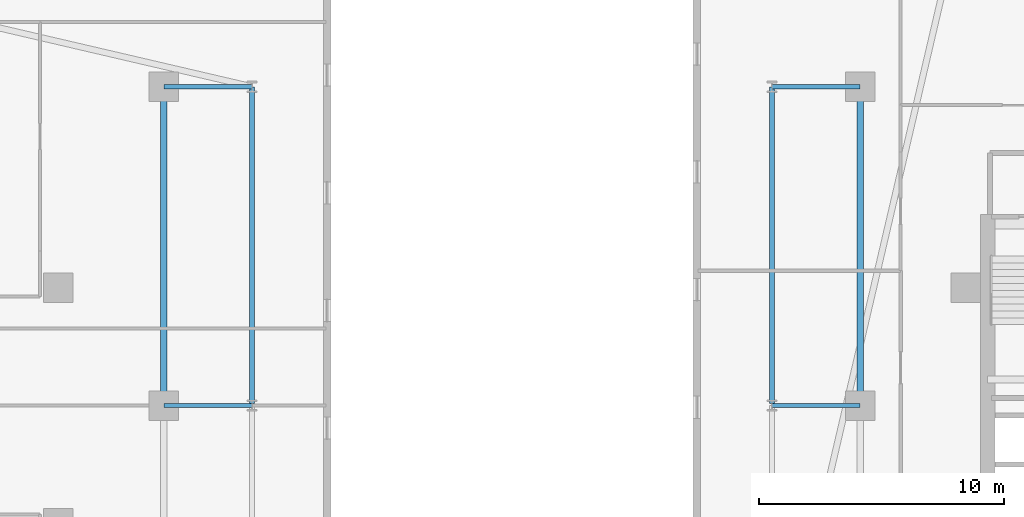
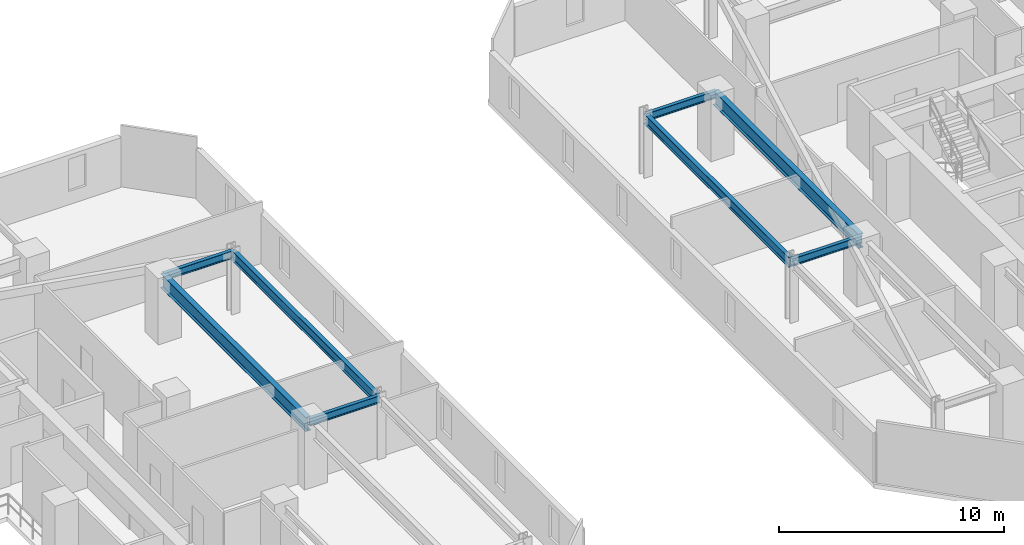
# One storey, part 7 of 31: 8 beams.
"""IFC4 building model written with IfcOpenShell, lengths in metres."""

import ifcopenshell
import ifcopenshell.guid

model = None  # the IFC model being written
_history = None  # IfcOwnerHistory: only IFC2X3 demands one
_inside = {}  # id of a spatial element -> (the spatial element, [elements in it])
_under = {}  # id of a project, library or spatial element -> (it, [spatial elements below it])
_declared = {}  # id of a project -> (the project, [libraries it declares])
_typed = {}  # id of a type object -> (the type object, [elements of that type])
_made_of = {}  # id of a material, layer set ... -> (it, [elements and type objects made of it])


def new_model(schema):
    """Start an empty IFC model of exactly this schema.

    Asked for "IFC4X3", IfcOpenShell would pick the latest addendum, in which some entities
    have other attributes; the version numbers below select the first issue.
    IFC2X3 requires an IfcOwnerHistory on every rooted entity: one is made here for all.
    """
    global model, _history
    if schema == "IFC4X3":
        model = ifcopenshell.file(schema_version=(4, 3, 0, 0))
    else:
        model = ifcopenshell.file(schema=schema)
    _inside.clear()
    _under.clear()
    _declared.clear()
    _typed.clear()
    _made_of.clear()
    _history = None
    if model.schema == "IFC2X3":
        org = make("IfcOrganization", Name="unknown")
        user = make(
            "IfcPersonAndOrganization",
            ThePerson=make("IfcPerson", FamilyName="unknown"),
            TheOrganization=org,
        )
        app = make(
            "IfcApplication",
            ApplicationDeveloper=org,
            Version="unknown",
            ApplicationFullName="unknown",
            ApplicationIdentifier="unknown",
        )
        _history = make(
            "IfcOwnerHistory",
            OwningUser=user,
            OwningApplication=app,
            ChangeAction="ADDED",
            CreationDate=0,
        )
    return model


def make(cls, **values):
    """One entity of the class cls with the attributes given. An attribute that is None is left unset."""
    return model.create_entity(
        cls, **{name: value for name, value in values.items() if value is not None}
    )


def rooted(cls, **values):
    """An entity with a GlobalId (a new one), such as an element, a storey or a relation."""
    return make(cls, GlobalId=ifcopenshell.guid.new(), OwnerHistory=_history, **values)


def si_unit(unit_type, name, prefix=None):
    """IfcSIUnit, for example si_unit("LENGTHUNIT", "METRE", prefix="MILLI")."""
    return make("IfcSIUnit", UnitType=unit_type, Prefix=prefix, Name=name)


def assignment(units):
    """IfcUnitAssignment: the units of a project."""
    return None if units is None else make("IfcUnitAssignment", Units=units)


def point(xyz):
    """IfcCartesianPoint."""
    return None if xyz is None else make("IfcCartesianPoint", Coordinates=xyz)


def direction(xyz):
    """IfcDirection."""
    return None if xyz is None else make("IfcDirection", DirectionRatios=xyz)


def frame(location, z_axis=None, x_axis=None):
    """IfcAxis2Placement3D, a coordinate frame: its origin and axes. An axis left out is left unset."""
    return make(
        "IfcAxis2Placement3D",
        Location=point(location),
        Axis=direction(z_axis),
        RefDirection=direction(x_axis),
    )


def frame_2d(location, x_axis=None):
    """IfcAxis2Placement2D, a coordinate frame in the plane: its origin and x axis."""
    return make(
        "IfcAxis2Placement2D", Location=point(location), RefDirection=direction(x_axis)
    )


def origin():
    """The frame at (0, 0, 0) with its axes left unset."""
    return frame((0.0, 0.0, 0.0))


def origin_2d():
    """The frame at (0, 0) in the plane with its x axis left unset."""
    return frame_2d((0.0, 0.0))


def place(relative_to, where):
    """IfcLocalPlacement: puts the frame where relative to a parent placement (None: the world)."""
    return make(
        "IfcLocalPlacement", PlacementRelTo=relative_to, RelativePlacement=where
    )


def context(
    kind, dimensions, precision=None, world=None, true_north=None, identifier=None
):
    """IfcGeometricRepresentationContext, for example the 3D "Model" context."""
    return make(
        "IfcGeometricRepresentationContext",
        ContextIdentifier=identifier,
        ContextType=kind,
        CoordinateSpaceDimension=dimensions,
        Precision=precision,
        WorldCoordinateSystem=world,
        TrueNorth=true_north,
    )


def subcontext(parent, identifier, kind, view, scale=None):
    """IfcGeometricRepresentationSubContext, for example "Body" below "Model"."""
    return make(
        "IfcGeometricRepresentationSubContext",
        ContextIdentifier=identifier,
        ContextType=kind,
        ParentContext=parent,
        TargetScale=scale,
        TargetView=view,
    )


def project(units=None, contexts=None):
    """IfcProject with its units and contexts."""
    return rooted(
        "IfcProject",
        Name="project",
        RepresentationContexts=contexts,
        UnitsInContext=assignment(units),
    )


def spatial(cls, under=None, at=None, **own):
    """A site, building, storey or space (cls), placed at a placement, below another one or the project."""
    s = rooted(cls, ObjectPlacement=at, **own)
    if under is not None:
        _under.setdefault(under.id(), (under, []))[1].append(s)
    return s


def profile(cls, at=None, kind="AREA", **sizes):
    """A parametric profile (cls). Its sizes go by their IFC names, for example OverallWidth=200.0."""
    return make(cls, ProfileType=kind, Position=at, **sizes)


def i_section(**sizes):
    """IfcIShapeProfileDef."""
    return profile("IfcIShapeProfileDef", **sizes)


def extrude(swept, where, along, depth):
    """IfcExtrudedAreaSolid: the profile swept, set in the frame where, extruded along a direction by depth."""
    return make(
        "IfcExtrudedAreaSolid",
        SweptArea=swept,
        Position=where,
        ExtrudedDirection=direction(along),
        Depth=depth,
    )


def shape(context_of_items, identifier, shape_type, items):
    """IfcShapeRepresentation: the items that make up one representation, for example the "Body"."""
    return make(
        "IfcShapeRepresentation",
        ContextOfItems=context_of_items,
        RepresentationIdentifier=identifier,
        RepresentationType=shape_type,
        Items=items,
    )


def material(Name=None, Category=None):
    """IfcMaterial."""
    return make("IfcMaterial", Name=Name, Category=Category)


def material_profile(
    of_material, cross_section, Name=None, Category=None, Priority=None
):
    """IfcMaterialProfile: a cross section and its material."""
    return make(
        "IfcMaterialProfile",
        Name=Name,
        Material=of_material,
        Profile=cross_section,
        Priority=Priority,
        Category=Category,
    )


def profile_set(profiles, Name=None, composite=None):
    """IfcMaterialProfileSet."""
    return make(
        "IfcMaterialProfileSet",
        Name=Name,
        MaterialProfiles=profiles,
        CompositeProfile=composite,
    )


def made_of(thing, what):
    """Note that an element or type object is made of a material, layer set ...; save() writes the relation."""
    if what is not None:
        _made_of.setdefault(what.id(), (what, []))[1].append(thing)
    return thing


def type_object(cls, material=None, **own):
    """A type object (cls), such as IfcWallType, which elements share."""
    return made_of(rooted(cls, **own), material)


def element(
    cls,
    number,
    at=None,
    inside=None,
    cuts=None,
    type_object=None,
    material=None,
    context=None,
    identifier="Body",
    shape_type=None,
    held_by="IfcProductDefinitionShape",
    body=None,
    shapes=None,
    **own,
):
    """One element of the class cls, such as IfcWall. Its Tag is "e" and its number.

    at: its placement. inside: the storey or other place that contains it. cuts: it is an
    opening in that element (IfcRelVoidsElement). A single representation is given by context,
    identifier, shape_type and body (its items); several are given by shapes. held_by: the class
    of the entity that holds the representations. save() writes the other relations.
    """
    e = rooted(cls, Tag="e%d" % number, ObjectPlacement=at, **own)
    if body is not None:
        shapes = [shape(context, identifier, shape_type, body)]
    if shapes is not None:
        e.Representation = make(held_by, Representations=shapes)
    if inside is not None:
        _inside.setdefault(inside.id(), (inside, []))[1].append(e)
    if cuts is not None:
        rooted(
            "IfcRelVoidsElement", RelatingBuildingElement=cuts, RelatedOpeningElement=e
        )
    if type_object is not None:
        _typed.setdefault(type_object.id(), (type_object, []))[1].append(e)
    return made_of(e, material)


def aggregate(whole, parts):
    """IfcRelAggregates: a whole, such as a stair, and the parts it consists of."""
    return rooted("IfcRelAggregates", RelatingObject=whole, RelatedObjects=parts)


def save(model, path):
    """Write the relations noted so far, then the file.

    IfcRelAggregates (storeys below a building ...), IfcRelContainedInSpatialStructure (elements
    in a storey), IfcRelDefinesByType, IfcRelAssociatesMaterial and IfcRelDeclares: one each for
    every whole, place, type object, material and project.
    """
    for whole, parts in _under.values():
        aggregate(whole, parts)
    for where, things in _inside.values():
        rooted(
            "IfcRelContainedInSpatialStructure",
            RelatedElements=things,
            RelatingStructure=where,
        )
    for kind, things in _typed.values():
        rooted("IfcRelDefinesByType", RelatedObjects=things, RelatingType=kind)
    for what, things in _made_of.values():
        rooted("IfcRelAssociatesMaterial", RelatedObjects=things, RelatingMaterial=what)
    for by, libraries in _declared.values():
        rooted("IfcRelDeclares", RelatingContext=by, RelatedDefinitions=libraries)
    model.write(path)


model = new_model("IFC4")

# Units and contexts
model_context = context("Model", 3, precision=1e-05, world=origin(), true_north=direction((0.0, 1.0)))
body_context = subcontext(model_context, "Body", "Model", "MODEL_VIEW")
ifc_project = project(units=[si_unit("LENGTHUNIT", "METRE"), si_unit("AREAUNIT", "SQUARE_METRE"), si_unit("VOLUMEUNIT", "CUBIC_METRE"), si_unit("PLANEANGLEUNIT", "RADIAN"), si_unit("MASSUNIT", "GRAM", prefix="KILO")], contexts=[model_context])

# Site, building, storey
site_placement = place(None, origin())
site = spatial("IfcSite", under=ifc_project, at=site_placement, CompositionType="ELEMENT")
building_placement = place(site_placement, origin())
building = spatial("IfcBuilding", under=site, at=building_placement, Name="Thornwick Lancets Civic Towers", CompositionType="ELEMENT")
storey_placement = place(building_placement, frame((0.0, 0.0, 87.300048828125)))
storey = spatial("IfcBuildingStorey", under=building, at=storey_placement, Name="L22", CompositionType="ELEMENT", Elevation=87.300048828125)

# Beams
ifc_material = material(Name="Steel S355JR", Category="steel")
ifc_material_profile_1 = material_profile(ifc_material, i_section(OverallWidth=0.2119140625, OverallDepth=0.54443359375, WebThickness=0.0126953125, FlangeThickness=0.021240234375, FilletRadius=0.0126953125, at=origin_2d()), Name="UKB 533x210x122")
ifc_profile_set_1 = profile_set([ifc_material_profile_1], Name="Steel S355JR")
beam_type_1 = type_object("IfcBeamType", Name="BM_EDGE_533_122", PredefinedType="SPANDREL", material=ifc_profile_set_1)
for number, where, z_axis, x_axis, name in (
    (1, (46.39990234375, 27.080078125, 3.087646484375), (0.0, 1.0, 0.0), (-1.0, 0.0, 0.0), "BM-EDGE-L22-A-S1-2"),
    (2, (67.60009765625, 27.080078125, 3.087646484375), (0.0, 1.0, 0.0), (-1.0, 0.0, 0.0), "BM-EDGE-L22-B-S2-2"),
):
    element("IfcBeam", number, at=place(storey_placement, frame(where, z_axis=z_axis, x_axis=x_axis)), inside=storey, type_object=beam_type_1, Name=name, PredefinedType="SPANDREL", context=body_context, shape_type="SweptSolid", body=[
        extrude(i_section(OverallWidth=0.2119140625, OverallDepth=0.54443359375, WebThickness=0.0126953125, FlangeThickness=0.021240234375, FilletRadius=0.0126953125, at=origin_2d()), origin(), (0.0, 0.0, 1.0), 12.919921875),
    ])
ifc_material_profile_2 = material_profile(ifc_material, i_section(OverallWidth=0.26806640625, OverallDepth=0.769775390625, WebThickness=0.015625, FlangeThickness=0.025390625, FilletRadius=0.0166015625, at=origin_2d()), Name="UKB 762x267x197")
ifc_profile_set_2 = profile_set([ifc_material_profile_2], Name="Steel S355JR")
beam_type_2 = type_object("IfcBeamType", Name="BM_GIRD_762_197", PredefinedType="BEAM", material=ifc_profile_set_2)
for number, where, z_axis, x_axis, name in (
    (3, (42.800048828125, 27.080078125, 2.97509765625), (0.0, 1.0, 0.0), (-1.0, 0.0, 0.0), "BM-SPINE-L22-A-4-5"),
    (4, (71.199951171875, 27.080078125, 2.97509765625), (0.0, 1.0, 0.0), (-1.0, 0.0, 0.0), "BM-SPINE-L22-B-7-8"),
):
    element("IfcBeam", number, at=place(storey_placement, frame(where, z_axis=z_axis, x_axis=x_axis)), inside=storey, type_object=beam_type_2, Name=name, PredefinedType="BEAM", context=body_context, shape_type="SweptSolid", body=[
        extrude(i_section(OverallWidth=0.26806640625, OverallDepth=0.769775390625, WebThickness=0.015625, FlangeThickness=0.025390625, FilletRadius=0.0166015625, at=origin_2d()), origin(), (0.0, 0.0, 1.0), 12.919921875),
    ])
ifc_material_profile_3 = material_profile(ifc_material, i_section(OverallWidth=0.179443359375, OverallDepth=0.412841796875, WebThickness=0.009521484375, FlangeThickness=0.01611328125, FilletRadius=0.01025390625, at=origin_2d()), Name="UKB 406x178x74")
ifc_profile_set_3 = profile_set([ifc_material_profile_3], Name="Steel S355JR")
beam_type_3 = type_object("IfcBeamType", Name="BM_JOIST_406_74", PredefinedType="JOIST", material=ifc_profile_set_3)
for number, where, z_axis, x_axis, name in (
    (5, (42.800048828125, 27.0, 3.153564453125), (1.0, 0.0, 0.0), (0.0, 1.0, 0.0), "BM-RAD-L22-A05"),
    (6, (42.800048828125, 40.0, 3.153564453125), (1.0, 0.0, 0.0), (0.0, 1.0, 0.0), "BM-RAD-L22-A06"),
    (7, (71.199951171875, 27.0, 3.153564453125), (-1.0, 0.0, 0.0), (0.0, -1.0, 0.0), "BM-RAD-L22-B08"),
    (8, (71.199951171875, 40.0, 3.153564453125), (-1.0, 0.0, 0.0), (0.0, -1.0, 0.0), "BM-RAD-L22-B09"),
):
    element("IfcBeam", number, at=place(storey_placement, frame(where, z_axis=z_axis, x_axis=x_axis)), inside=storey, type_object=beam_type_3, Name=name, PredefinedType="JOIST", context=body_context, shape_type="SweptSolid", body=[
        extrude(i_section(OverallWidth=0.179443359375, OverallDepth=0.412841796875, WebThickness=0.009521484375, FlangeThickness=0.01611328125, FilletRadius=0.01025390625, at=origin_2d()), origin(), (0.0, 0.0, 1.0), 3.599853515625),
    ])

save(model, "model.ifc")
